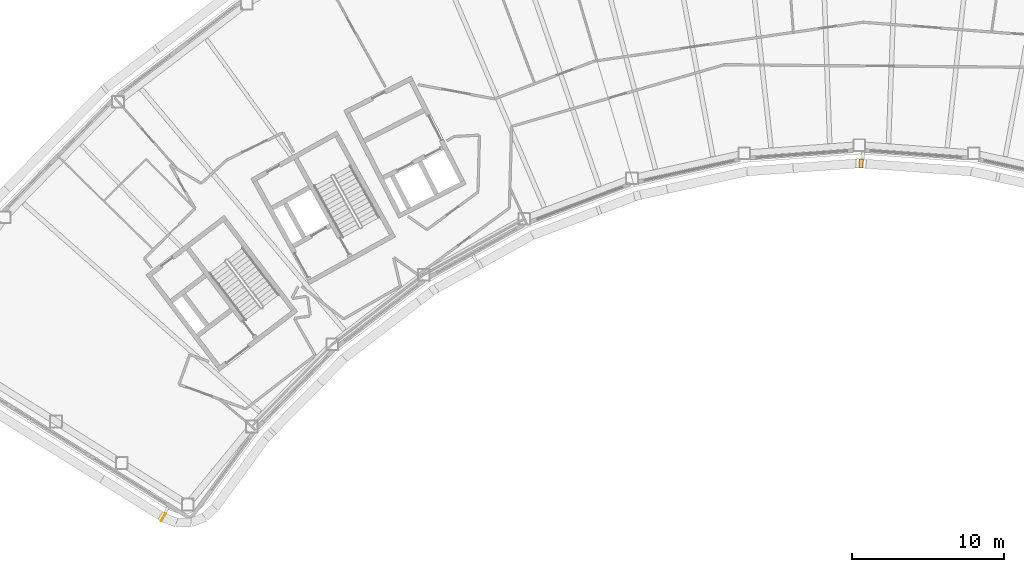
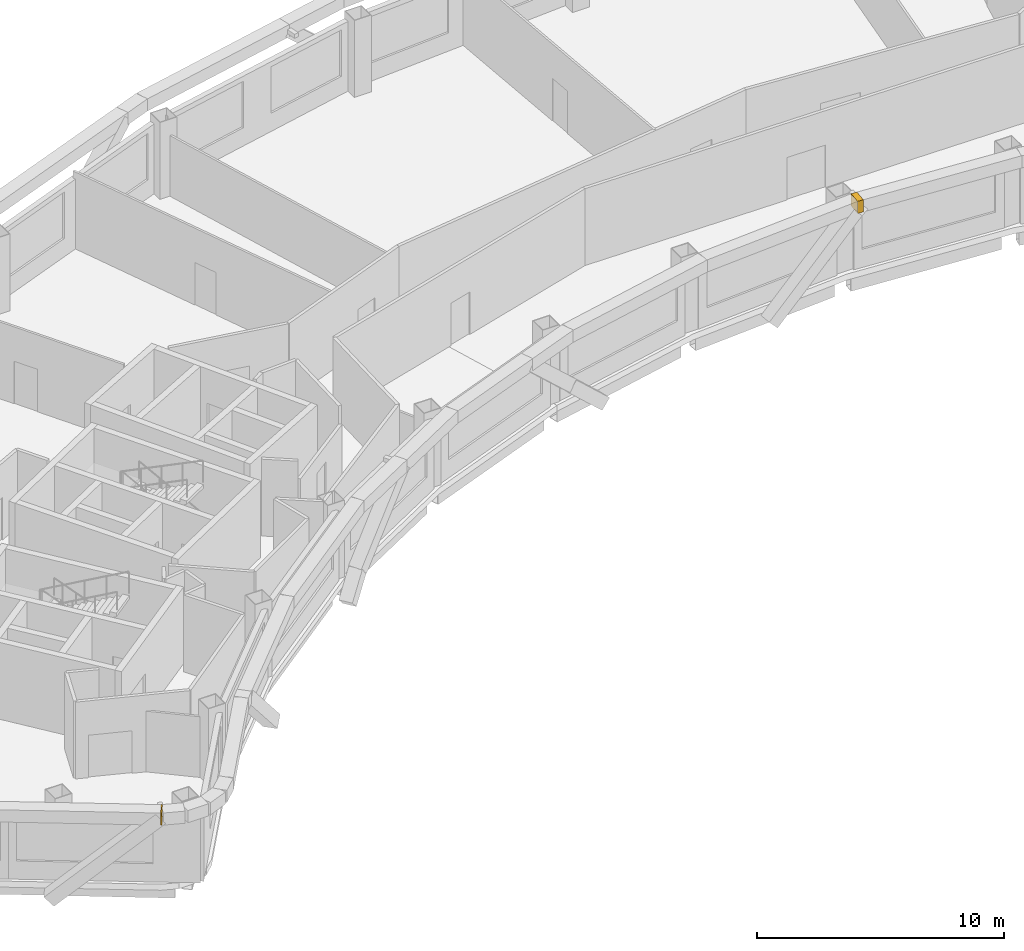
# One storey, part 18 of 18: 2 coverings.
"""IFC4 building model written with IfcOpenShell, lengths in metres."""

from ifc_helpers import new_model, si_unit, direction, frame, origin, origin_2d, place, context, subcontext, project, spatial, rectangle, extrude, material, material_profile, profile_set, type_object, element, save


model = new_model("IFC4")

# Units and contexts
model_context = context("Model", 3, precision=1e-05, world=origin(), true_north=direction((0.0, 1.0)))
body_context = subcontext(model_context, "Body", "Model", "MODEL_VIEW")
ifc_project = project(units=[si_unit("LENGTHUNIT", "METRE"), si_unit("AREAUNIT", "SQUARE_METRE"), si_unit("VOLUMEUNIT", "CUBIC_METRE"), si_unit("PLANEANGLEUNIT", "RADIAN"), si_unit("MASSUNIT", "GRAM", prefix="KILO")], contexts=[model_context])

# Site, building, storey
site_placement = place(None, origin())
site = spatial("IfcSite", under=ifc_project, at=site_placement, CompositionType="ELEMENT")
building_placement = place(site_placement, origin())
building = spatial("IfcBuilding", under=site, at=building_placement, Name="Tuul Gate Civic Tower", CompositionType="ELEMENT")
storey_placement = place(building_placement, frame((0.0, 0.0, 234.699951171875)))
storey = spatial("IfcBuildingStorey", under=building, at=storey_placement, Name="Level 53", CompositionType="ELEMENT", Elevation=234.699951171875)

# Coverings
ifc_material = material(Name="Terracotta baguette", Category="masonry")
ifc_material_profile = material_profile(ifc_material, rectangle(XDim=0.60009765625, YDim=0.60009765625, at=origin_2d()), Name="Terracotta baguette screen frame")
ifc_profile_set = profile_set([ifc_material_profile], Name="Terracotta baguette")
covering_type = type_object("IfcCoveringType", Name="Terracotta baguette screen frame", PredefinedType="CLADDING", material=ifc_profile_set)
covering_1_placement = place(storey_placement, frame((-39.989501953125, -27.34033203125, 3.85009765625), z_axis=(0.847998304005, -0.529998940003, 0.0), x_axis=(0.529998940003, 0.847998304005, 0.0)))
element("IfcCovering", 1, at=covering_1_placement, inside=storey, type_object=covering_type, Name="Baguette 171", PredefinedType="CLADDING", context=body_context, shape_type="SweptSolid", body=[
    extrude(rectangle(XDim=0.60009765625, YDim=0.60009765625, at=origin_2d()), origin(), (0.0, 0.0, 1.0), 0.052978515625),
])
covering_2_placement = place(storey_placement, frame((5.93994140625, -3.993896484375, 3.85009765625), z_axis=(0.997363368837, -0.072569349598, 0.0), x_axis=(0.072569349598, 0.997363368837, 0.0)))
element("IfcCovering", 2, at=covering_2_placement, inside=storey, type_object=covering_type, Name="Baguette 434", PredefinedType="CLADDING", context=body_context, shape_type="SweptSolid", body=[
    extrude(rectangle(XDim=0.60009765625, YDim=0.60009765625, at=origin_2d()), origin(), (0.0, 0.0, 1.0), 0.262451171875),
])

save(model, "model.ifc")
